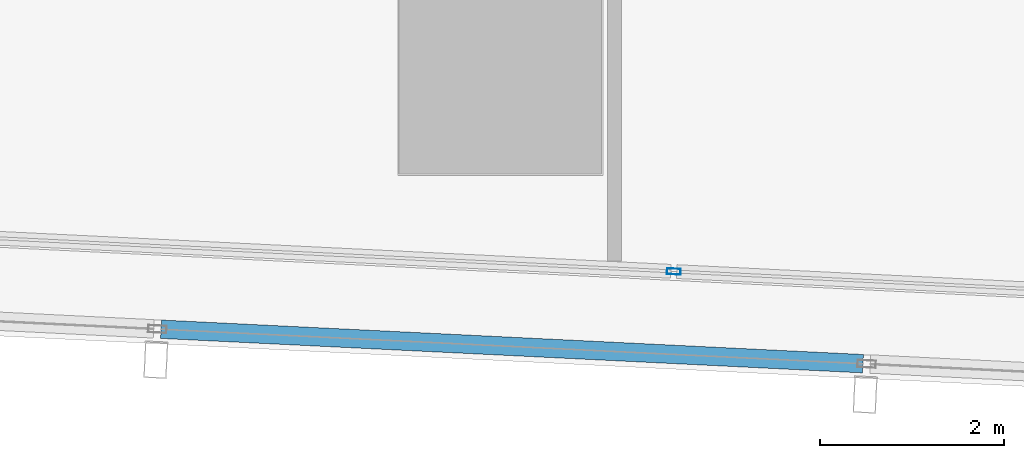
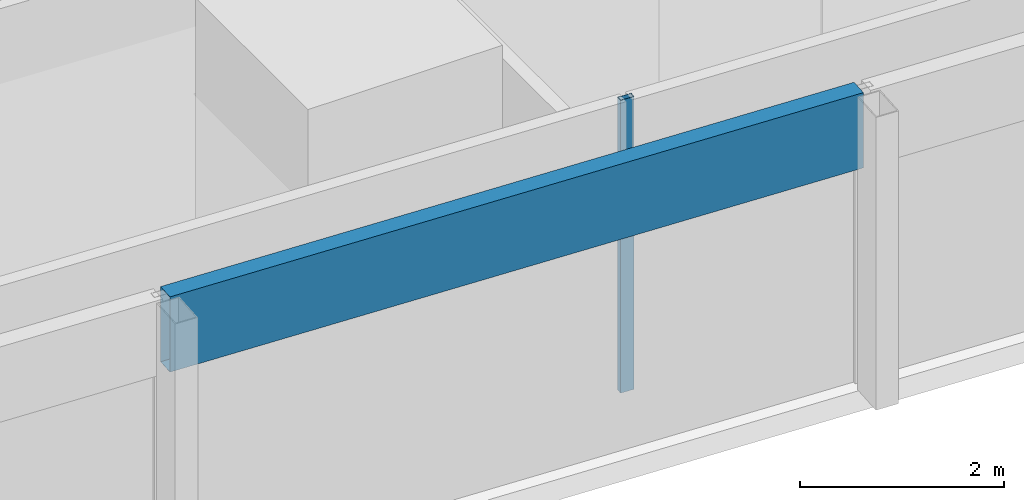
# One storey, part 6 of 45: 2 members, 2 elements without a shape of their own.
"""IFC4 building model written with IfcOpenShell, lengths in metres."""

from ifc_helpers import new_model, si_unit, direction, frame, origin, origin_2d, place, context, subcontext, project, spatial, hollow_rectangle, extrude, material, material_profile, profile_set, type_object, element, aggregate, save


model = new_model("IFC4")

# Units and contexts
model_context = context("Model", 3, precision=1e-05, world=origin(), true_north=direction((0.0, 1.0)))
body_context = subcontext(model_context, "Body", "Model", "MODEL_VIEW")
ifc_project = project(units=[si_unit("LENGTHUNIT", "METRE"), si_unit("AREAUNIT", "SQUARE_METRE"), si_unit("VOLUMEUNIT", "CUBIC_METRE"), si_unit("PLANEANGLEUNIT", "RADIAN"), si_unit("MASSUNIT", "GRAM", prefix="KILO")], contexts=[model_context])

# Site, building, storey
site_placement = place(None, origin())
site = spatial("IfcSite", under=ifc_project, at=site_placement, CompositionType="ELEMENT")
building_placement = place(site_placement, origin())
building = spatial("IfcBuilding", under=site, at=building_placement, Name="Rekha Terrace Tower", CompositionType="ELEMENT")
storey_placement = place(building_placement, frame((0.0, 0.0, 44.14990234375)))
storey = spatial("IfcBuildingStorey", under=building, at=storey_placement, Name="L10", CompositionType="ELEMENT", Elevation=44.14990234375)

# Curtain wall, member
ifc_material_1 = material(Name="Aluminium framing", Category="aluminium")
curtain_wall_type_1 = type_object("IfcCurtainWallType", Name="CW1 double skin inner glazing", PredefinedType="USERDEFINED", material=ifc_material_1)
curtain_wall_1_placement = place(storey_placement, origin())
curtain_wall_1 = element("IfcCurtainWall", 1, at=curtain_wall_1_placement, inside=storey, type_object=curtain_wall_type_1, Name="CW1 double skin inner glazing", ObjectType="DOUBLE SKIN INNER GLAZING", PredefinedType="USERDEFINED")
ifc_material_2 = material(Name="Aluminium mullion section", Category="aluminium")
ifc_material_profile_1 = material_profile(ifc_material_2, hollow_rectangle(XDim=0.06494140625, YDim=0.14990234375, WallThickness=0.00390625, at=origin_2d()), Name="AL RHS 65x150")
ifc_profile_set_1 = profile_set([ifc_material_profile_1], Name="Aluminium mullion section")
member_type_1 = type_object("IfcMemberType", Name="CW1 mullion RHS 65 x 150", PredefinedType="MULLION", material=ifc_profile_set_1)
member_1_placement = place(storey_placement, frame((35.48388671875, 6.24267578125, 0.0), z_axis=(0.0, 0.0, 1.0), x_axis=(0.049051717746, 0.998796239974, 0.0)))
member_1 = element("IfcMember", 2, at=member_1_placement, type_object=member_type_1, Name="CW1 mullion 3", PredefinedType="MULLION", context=body_context, shape_type="SweptSolid", body=[
    extrude(hollow_rectangle(XDim=0.06494140625, YDim=0.14990234375, WallThickness=0.00390625, at=origin_2d()), origin(), (0.0, 0.0, 1.0), 3.5),
])
aggregate(curtain_wall_1, [member_1])

curtain_wall_type_2 = type_object("IfcCurtainWallType", Name="CW2 double skin outer glazing", PredefinedType="USERDEFINED", material=ifc_material_1)
curtain_wall_2_placement = place(storey_placement, origin())
curtain_wall_2 = element("IfcCurtainWall", 3, at=curtain_wall_2_placement, inside=storey, type_object=curtain_wall_type_2, Name="CW2 double skin outer glazing", ObjectType="DOUBLE SKIN OUTER GLAZING", PredefinedType="USERDEFINED")
ifc_material_3 = material(Name="Insulated aluminium spandrel box", Category="aluminium")
ifc_material_profile_2 = material_profile(ifc_material_3, hollow_rectangle(XDim=0.199951171875, YDim=0.89990234375, WallThickness=0.0029296875, at=origin_2d()), Name="AL SPANDREL BOX 200x900")
ifc_profile_set_2 = profile_set([ifc_material_profile_2], Name="Insulated aluminium spandrel box")
member_type_2 = type_object("IfcMemberType", Name="CW2 spandrel transom 200 x 900", PredefinedType="USERDEFINED", material=ifc_profile_set_2)
member_2_placement = place(storey_placement, frame((29.91259765625, 5.615234375, 3.050048828125), z_axis=(0.998796434643, -0.049047753721, 0.0), x_axis=(0.049047753721, 0.998796434643, 0.0)))
member_2 = element("IfcMember", 4, at=member_2_placement, type_object=member_type_2, Name="CW2 spandrel transom 4", ObjectType="TRANSOM", PredefinedType="USERDEFINED", context=body_context, shape_type="SweptSolid", body=[
    extrude(hollow_rectangle(XDim=0.199951171875, YDim=0.89990234375, WallThickness=0.0029296875, at=origin_2d()), origin(), (0.0, 0.0, 1.0), 7.6357421875),
])
aggregate(curtain_wall_2, [member_2])

save(model, "model.ifc")
